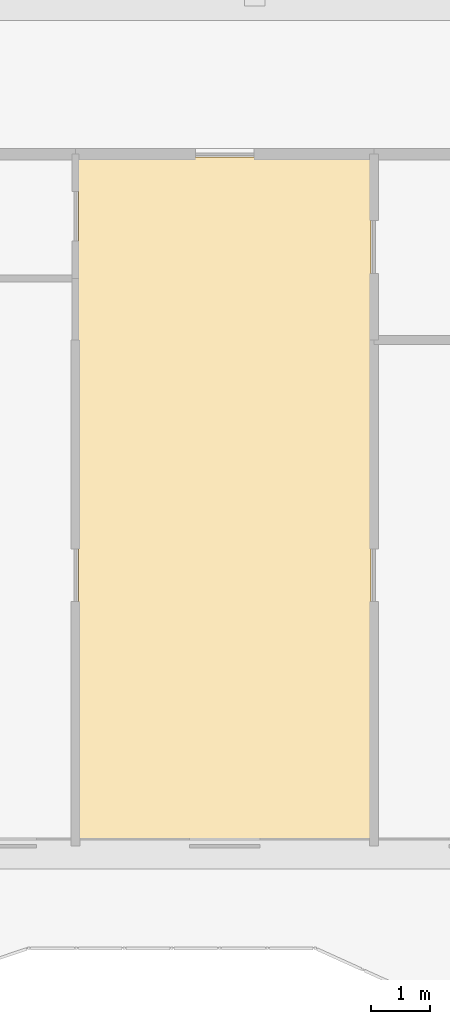
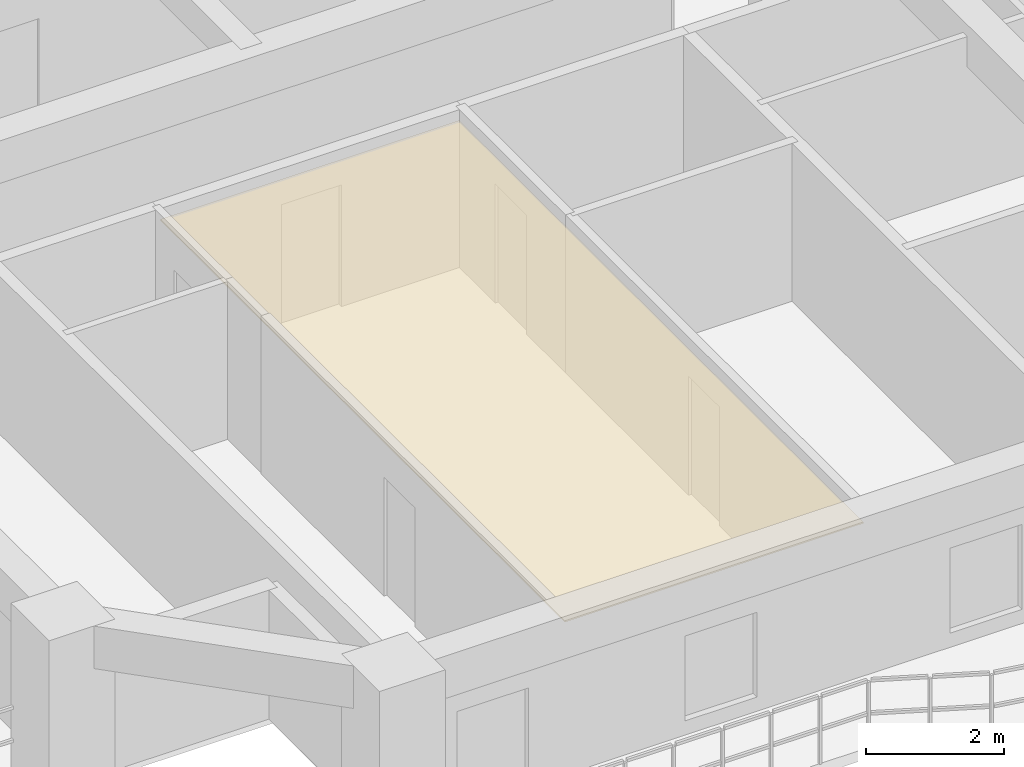
# One storey, part 11 of 16: 1 covering.
"""IFC4 building model written with IfcOpenShell, lengths in metres."""

from ifc_helpers import new_model, si_unit, direction, frame, origin, place, context, subcontext, project, spatial, polyline, outline, extrude, material, layer, layer_set, type_object, element, save


model = new_model("IFC4")

# Units and contexts
model_context = context("Model", 3, precision=1e-05, world=origin(), true_north=direction((0.0, 1.0)))
body_context = subcontext(model_context, "Body", "Model", "MODEL_VIEW")
ifc_project = project(units=[si_unit("LENGTHUNIT", "METRE"), si_unit("AREAUNIT", "SQUARE_METRE"), si_unit("VOLUMEUNIT", "CUBIC_METRE"), si_unit("PLANEANGLEUNIT", "RADIAN"), si_unit("MASSUNIT", "GRAM", prefix="KILO")], contexts=[model_context])

# Site, building, storey
site_placement = place(None, origin())
site = spatial("IfcSite", under=ifc_project, at=site_placement, CompositionType="ELEMENT")
building_placement = place(site_placement, origin())
building = spatial("IfcBuilding", under=site, at=building_placement, Name="Saelheon Loggia Tower", CompositionType="ELEMENT")
storey_placement = place(building_placement, frame((0.0, 0.0, 28.39990234375)))
storey = spatial("IfcBuildingStorey", under=building, at=storey_placement, Name="L08", CompositionType="ELEMENT", Elevation=28.39990234375)

# Covering
ifc_material = material(Name="Mineral-Fibre Acoustic Ceiling Board", Category="gypsum")
ifc_layer = layer(ifc_material, 0.02490234375)
ifc_layer_set = layer_set([ifc_layer], Name="Mineral-Fibre Acoustic Ceiling Board")
covering_type = type_object("IfcCoveringType", Name="Cov_Ceiling_Acoustic", PredefinedType="CEILING", material=ifc_layer_set)
covering_placement = place(storey_placement, frame((0.0, 0.0, 2.53515625)))
element("IfcCovering", 1, at=covering_placement, inside=storey, type_object=covering_type, Name="L08 Acoustic Suspended Ceiling", PredefinedType="CEILING", context=body_context, shape_type="SweptSolid", body=[
    extrude(outline(polyline([(18.47998046875, 3.199951171875), (23.470458984375, 3.199951171875), (23.470458984375, 14.89990234375), (18.47998046875, 14.89990234375), (18.47998046875, 3.199951171875)])), origin(), (0.0, 0.0, 1.0), 0.02490234375),
])

save(model, "model.ifc")
